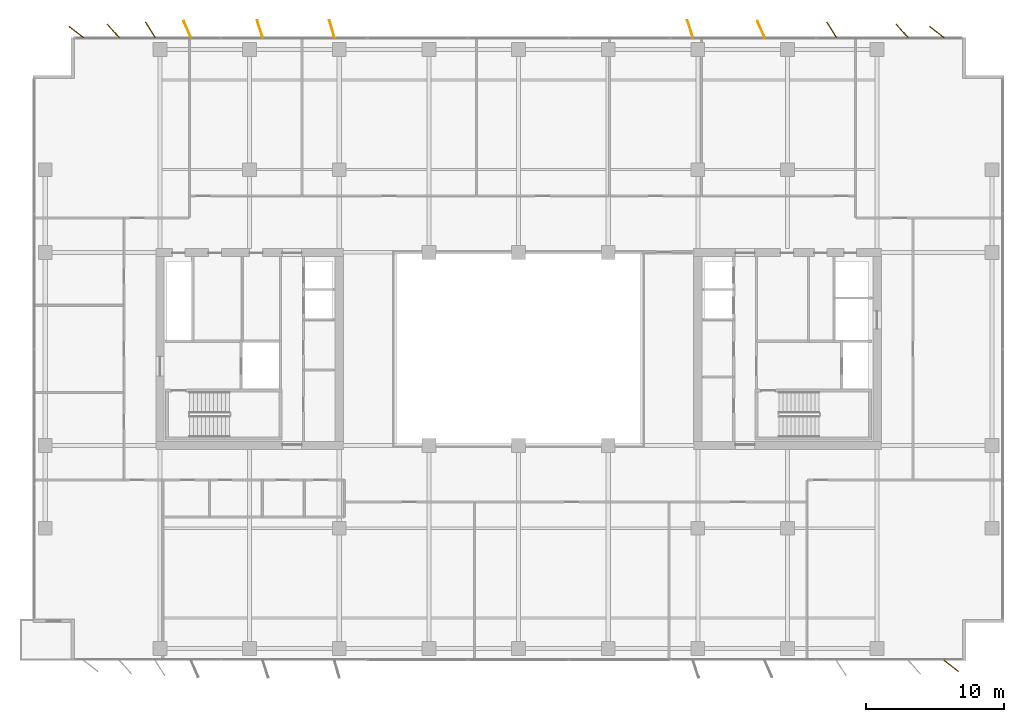
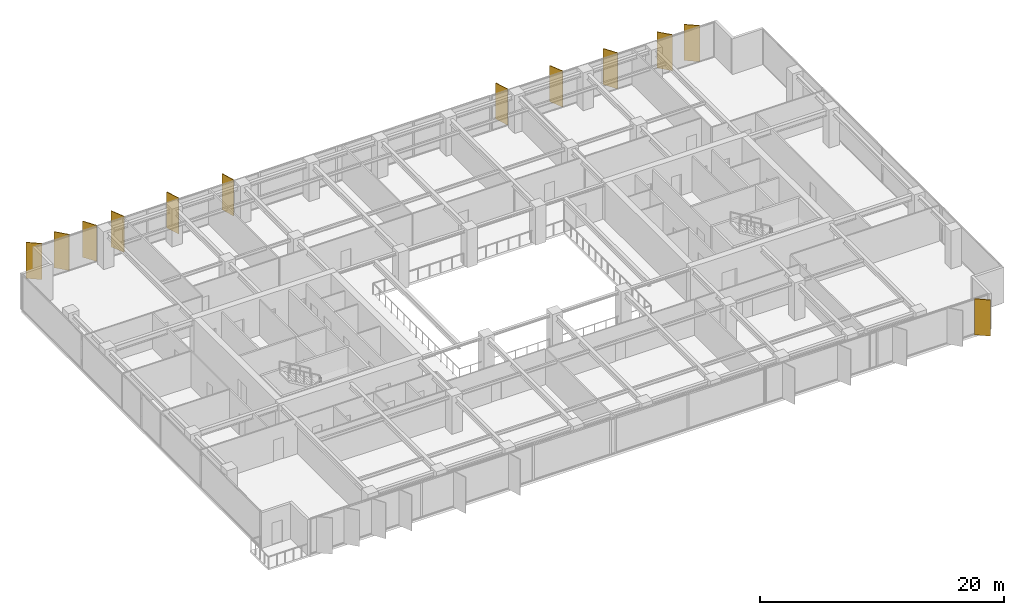
# One storey, part 22 of 22: 12 shading devices.
"""IFC4 building model written with IfcOpenShell, lengths in metres."""

import ifcopenshell
import ifcopenshell.guid

model = None  # the IFC model being written
_history = None  # IfcOwnerHistory: only IFC2X3 demands one
_inside = {}  # id of a spatial element -> (the spatial element, [elements in it])
_under = {}  # id of a project, library or spatial element -> (it, [spatial elements below it])
_declared = {}  # id of a project -> (the project, [libraries it declares])
_typed = {}  # id of a type object -> (the type object, [elements of that type])
_made_of = {}  # id of a material, layer set ... -> (it, [elements and type objects made of it])


def new_model(schema):
    """Start an empty IFC model of exactly this schema.

    Asked for "IFC4X3", IfcOpenShell would pick the latest addendum, in which some entities
    have other attributes; the version numbers below select the first issue.
    IFC2X3 requires an IfcOwnerHistory on every rooted entity: one is made here for all.
    """
    global model, _history
    if schema == "IFC4X3":
        model = ifcopenshell.file(schema_version=(4, 3, 0, 0))
    else:
        model = ifcopenshell.file(schema=schema)
    _inside.clear()
    _under.clear()
    _declared.clear()
    _typed.clear()
    _made_of.clear()
    _history = None
    if model.schema == "IFC2X3":
        org = make("IfcOrganization", Name="unknown")
        user = make(
            "IfcPersonAndOrganization",
            ThePerson=make("IfcPerson", FamilyName="unknown"),
            TheOrganization=org,
        )
        app = make(
            "IfcApplication",
            ApplicationDeveloper=org,
            Version="unknown",
            ApplicationFullName="unknown",
            ApplicationIdentifier="unknown",
        )
        _history = make(
            "IfcOwnerHistory",
            OwningUser=user,
            OwningApplication=app,
            ChangeAction="ADDED",
            CreationDate=0,
        )
    return model


def make(cls, **values):
    """One entity of the class cls with the attributes given. An attribute that is None is left unset."""
    return model.create_entity(
        cls, **{name: value for name, value in values.items() if value is not None}
    )


def rooted(cls, **values):
    """An entity with a GlobalId (a new one), such as an element, a storey or a relation."""
    return make(cls, GlobalId=ifcopenshell.guid.new(), OwnerHistory=_history, **values)


def si_unit(unit_type, name, prefix=None):
    """IfcSIUnit, for example si_unit("LENGTHUNIT", "METRE", prefix="MILLI")."""
    return make("IfcSIUnit", UnitType=unit_type, Prefix=prefix, Name=name)


def assignment(units):
    """IfcUnitAssignment: the units of a project."""
    return None if units is None else make("IfcUnitAssignment", Units=units)


def point(xyz):
    """IfcCartesianPoint."""
    return None if xyz is None else make("IfcCartesianPoint", Coordinates=xyz)


def direction(xyz):
    """IfcDirection."""
    return None if xyz is None else make("IfcDirection", DirectionRatios=xyz)


def frame(location, z_axis=None, x_axis=None):
    """IfcAxis2Placement3D, a coordinate frame: its origin and axes. An axis left out is left unset."""
    return make(
        "IfcAxis2Placement3D",
        Location=point(location),
        Axis=direction(z_axis),
        RefDirection=direction(x_axis),
    )


def frame_2d(location, x_axis=None):
    """IfcAxis2Placement2D, a coordinate frame in the plane: its origin and x axis."""
    return make(
        "IfcAxis2Placement2D", Location=point(location), RefDirection=direction(x_axis)
    )


def origin():
    """The frame at (0, 0, 0) with its axes left unset."""
    return frame((0.0, 0.0, 0.0))


def origin_2d():
    """The frame at (0, 0) in the plane with its x axis left unset."""
    return frame_2d((0.0, 0.0))


def place(relative_to, where):
    """IfcLocalPlacement: puts the frame where relative to a parent placement (None: the world)."""
    return make(
        "IfcLocalPlacement", PlacementRelTo=relative_to, RelativePlacement=where
    )


def context(
    kind, dimensions, precision=None, world=None, true_north=None, identifier=None
):
    """IfcGeometricRepresentationContext, for example the 3D "Model" context."""
    return make(
        "IfcGeometricRepresentationContext",
        ContextIdentifier=identifier,
        ContextType=kind,
        CoordinateSpaceDimension=dimensions,
        Precision=precision,
        WorldCoordinateSystem=world,
        TrueNorth=true_north,
    )


def subcontext(parent, identifier, kind, view, scale=None):
    """IfcGeometricRepresentationSubContext, for example "Body" below "Model"."""
    return make(
        "IfcGeometricRepresentationSubContext",
        ContextIdentifier=identifier,
        ContextType=kind,
        ParentContext=parent,
        TargetScale=scale,
        TargetView=view,
    )


def project(units=None, contexts=None):
    """IfcProject with its units and contexts."""
    return rooted(
        "IfcProject",
        Name="project",
        RepresentationContexts=contexts,
        UnitsInContext=assignment(units),
    )


def spatial(cls, under=None, at=None, **own):
    """A site, building, storey or space (cls), placed at a placement, below another one or the project."""
    s = rooted(cls, ObjectPlacement=at, **own)
    if under is not None:
        _under.setdefault(under.id(), (under, []))[1].append(s)
    return s


def profile(cls, at=None, kind="AREA", **sizes):
    """A parametric profile (cls). Its sizes go by their IFC names, for example OverallWidth=200.0."""
    return make(cls, ProfileType=kind, Position=at, **sizes)


def rectangle(**sizes):
    """IfcRectangleProfileDef."""
    return profile("IfcRectangleProfileDef", **sizes)


def extrude(swept, where, along, depth):
    """IfcExtrudedAreaSolid: the profile swept, set in the frame where, extruded along a direction by depth."""
    return make(
        "IfcExtrudedAreaSolid",
        SweptArea=swept,
        Position=where,
        ExtrudedDirection=direction(along),
        Depth=depth,
    )


def shape(context_of_items, identifier, shape_type, items):
    """IfcShapeRepresentation: the items that make up one representation, for example the "Body"."""
    return make(
        "IfcShapeRepresentation",
        ContextOfItems=context_of_items,
        RepresentationIdentifier=identifier,
        RepresentationType=shape_type,
        Items=items,
    )


def material(Name=None, Category=None):
    """IfcMaterial."""
    return make("IfcMaterial", Name=Name, Category=Category)


def layer(
    of_material, thickness, ventilated=None, Name=None, Category=None, Priority=None
):
    """IfcMaterialLayer: one layer of a wall or slab, of a material (None: an air gap)."""
    return make(
        "IfcMaterialLayer",
        Material=of_material,
        LayerThickness=thickness,
        IsVentilated=ventilated,
        Name=Name,
        Category=Category,
        Priority=Priority,
    )


def layer_set(layers, Name=None):
    """IfcMaterialLayerSet."""
    return make("IfcMaterialLayerSet", MaterialLayers=layers, LayerSetName=Name)


def made_of(thing, what):
    """Note that an element or type object is made of a material, layer set ...; save() writes the relation."""
    if what is not None:
        _made_of.setdefault(what.id(), (what, []))[1].append(thing)
    return thing


def type_object(cls, material=None, **own):
    """A type object (cls), such as IfcWallType, which elements share."""
    return made_of(rooted(cls, **own), material)


def element(
    cls,
    number,
    at=None,
    inside=None,
    cuts=None,
    type_object=None,
    material=None,
    context=None,
    identifier="Body",
    shape_type=None,
    held_by="IfcProductDefinitionShape",
    body=None,
    shapes=None,
    **own,
):
    """One element of the class cls, such as IfcWall. Its Tag is "e" and its number.

    at: its placement. inside: the storey or other place that contains it. cuts: it is an
    opening in that element (IfcRelVoidsElement). A single representation is given by context,
    identifier, shape_type and body (its items); several are given by shapes. held_by: the class
    of the entity that holds the representations. save() writes the other relations.
    """
    e = rooted(cls, Tag="e%d" % number, ObjectPlacement=at, **own)
    if body is not None:
        shapes = [shape(context, identifier, shape_type, body)]
    if shapes is not None:
        e.Representation = make(held_by, Representations=shapes)
    if inside is not None:
        _inside.setdefault(inside.id(), (inside, []))[1].append(e)
    if cuts is not None:
        rooted(
            "IfcRelVoidsElement", RelatingBuildingElement=cuts, RelatedOpeningElement=e
        )
    if type_object is not None:
        _typed.setdefault(type_object.id(), (type_object, []))[1].append(e)
    return made_of(e, material)


def aggregate(whole, parts):
    """IfcRelAggregates: a whole, such as a stair, and the parts it consists of."""
    return rooted("IfcRelAggregates", RelatingObject=whole, RelatedObjects=parts)


def save(model, path):
    """Write the relations noted so far, then the file.

    IfcRelAggregates (storeys below a building ...), IfcRelContainedInSpatialStructure (elements
    in a storey), IfcRelDefinesByType, IfcRelAssociatesMaterial and IfcRelDeclares: one each for
    every whole, place, type object, material and project.
    """
    for whole, parts in _under.values():
        aggregate(whole, parts)
    for where, things in _inside.values():
        rooted(
            "IfcRelContainedInSpatialStructure",
            RelatedElements=things,
            RelatingStructure=where,
        )
    for kind, things in _typed.values():
        rooted("IfcRelDefinesByType", RelatedObjects=things, RelatingType=kind)
    for what, things in _made_of.values():
        rooted("IfcRelAssociatesMaterial", RelatedObjects=things, RelatingMaterial=what)
    for by, libraries in _declared.values():
        rooted("IfcRelDeclares", RelatingContext=by, RelatedDefinitions=libraries)
    model.write(path)


model = new_model("IFC4")

# Units and contexts
model_context = context("Model", 3, precision=1e-05, world=origin(), true_north=direction((0.0, 1.0)))
body_context = subcontext(model_context, "Body", "Model", "MODEL_VIEW")
ifc_project = project(units=[si_unit("LENGTHUNIT", "METRE"), si_unit("AREAUNIT", "SQUARE_METRE"), si_unit("VOLUMEUNIT", "CUBIC_METRE"), si_unit("PLANEANGLEUNIT", "RADIAN"), si_unit("MASSUNIT", "GRAM", prefix="KILO")], contexts=[model_context])

# Site, building, storey
site_placement = place(None, origin())
site = spatial("IfcSite", under=ifc_project, at=site_placement, CompositionType="ELEMENT")
building_placement = place(site_placement, origin())
building = spatial("IfcBuilding", under=site, at=building_placement, Name="Putna Gate Headquarters", CompositionType="ELEMENT")
storey_placement = place(building_placement, frame((0.0, 0.0, 159.39990234375)))
storey = spatial("IfcBuildingStorey", under=building, at=storey_placement, Name="L39", CompositionType="ELEMENT", Elevation=159.39990234375)

# Shading devices
ifc_material = material(Name="Anodised architectural bronze aluminium fin", Category="aluminium")
ifc_layer = layer(ifc_material, 0.06494140625)
ifc_layer_set = layer_set([ifc_layer], Name="Anodised architectural bronze aluminium fin")
shading_device_type = type_object("IfcShadingDeviceType", Name="SHADE-BRONZE-FIN-1320", PredefinedType="USERDEFINED", material=ifc_layer_set)
for number, where, z_axis, x_axis, name in (
    (1, (6.930419921875, 48.981689453125, -0.02001953125), (0.0, 0.0, 1.0), (-0.787473187632, 0.616348909921, 0.0), "L39 Bronze Vertical Shading Fin N1"),
    (2, (9.6083984375, 49.0654296875, -0.02001953125), (0.0, 0.0, 1.0), (-0.669130606359, 0.743144825477, 0.0), "L39 Bronze Vertical Shading Fin N2"),
    (3, (12.2998046875, 49.134521484375, -0.02001953125), (0.0, 0.0, 1.0), (-0.530659123936, 0.847585331506, 0.0), "L39 Bronze Vertical Shading Fin N3"),
    (4, (14.985595703125, 49.1796875, -0.02001953125), (0.0, 0.0, 1.0), (-0.400668879095, 0.916222925562, 0.0), "L39 Bronze Vertical Shading Fin N4"),
    (5, (20.246337890625, 49.202880859375, -0.02001953125), (0.0, 0.0, 1.0), (-0.308684994204, 0.951164325631, 0.0), "L39 Bronze Vertical Shading Fin N5"),
    (6, (25.468017578125, 49.20947265625, -0.02001953125), (0.0, 0.0, 1.0), (-0.275637355817, 0.961261695938, 0.0), "L39 Bronze Vertical Shading Fin N6"),
    (7, (51.4462890625, 49.202880859375, -0.02001953125), (0.0, 0.0, 1.0), (-0.308684994204, 0.951164325631, 0.0), "L39 Bronze Vertical Shading Fin N7"),
    (8, (56.585693359375, 49.1796875, -0.02001953125), (0.0, 0.0, 1.0), (-0.400668879095, 0.916222925562, 0.0), "L39 Bronze Vertical Shading Fin N8"),
    (9, (61.69970703125, 49.134521484375, -0.02001953125), (0.0, 0.0, 1.0), (-0.530659123936, 0.847585331506, 0.0), "L39 Bronze Vertical Shading Fin N9"),
    (10, (66.808349609375, 49.0654296875, -0.02001953125), (0.0, 0.0, 1.0), (-0.669130606359, 0.743144825477, 0.0), "L39 Bronze Vertical Shading Fin N10"),
    (11, (70.36962890625, 3.018310546875, -0.02001953125), (0.0, 0.0, 1.0), (0.787473187632, -0.616348909921, 0.0), "L39 Bronze Vertical Shading Fin S11"),
    (12, (69.330322265625, 48.981689453125, -0.02001953125), (0.0, 0.0, 1.0), (-0.787473187632, 0.616348909921, 0.0), "L39 Bronze Vertical Shading Fin N11"),
):
    element("IfcShadingDevice", number, at=place(storey_placement, frame(where, z_axis=z_axis, x_axis=x_axis)), inside=storey, type_object=shading_device_type, Name=name, ObjectType="FIN", PredefinedType="USERDEFINED", context=body_context, shape_type="SweptSolid", body=[
        extrude(rectangle(XDim=1.320068359375, YDim=0.06494140625, at=origin_2d()), origin(), (0.0, 0.0, 1.0), 3.612060546875),
    ])

save(model, "model.ifc")
